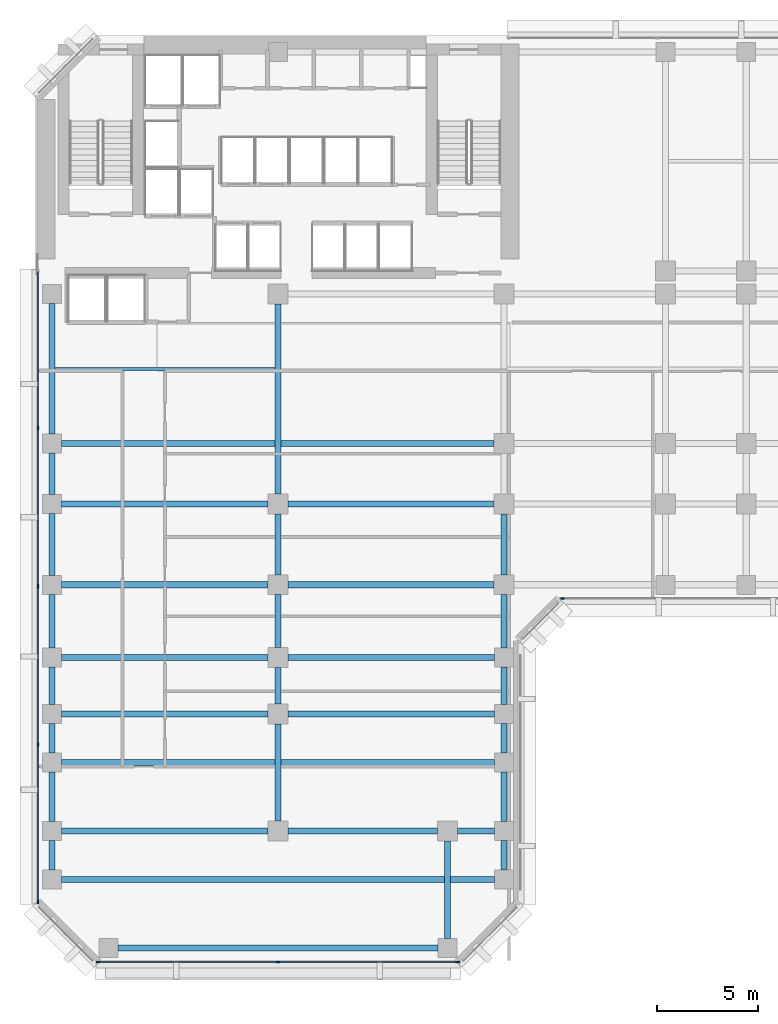
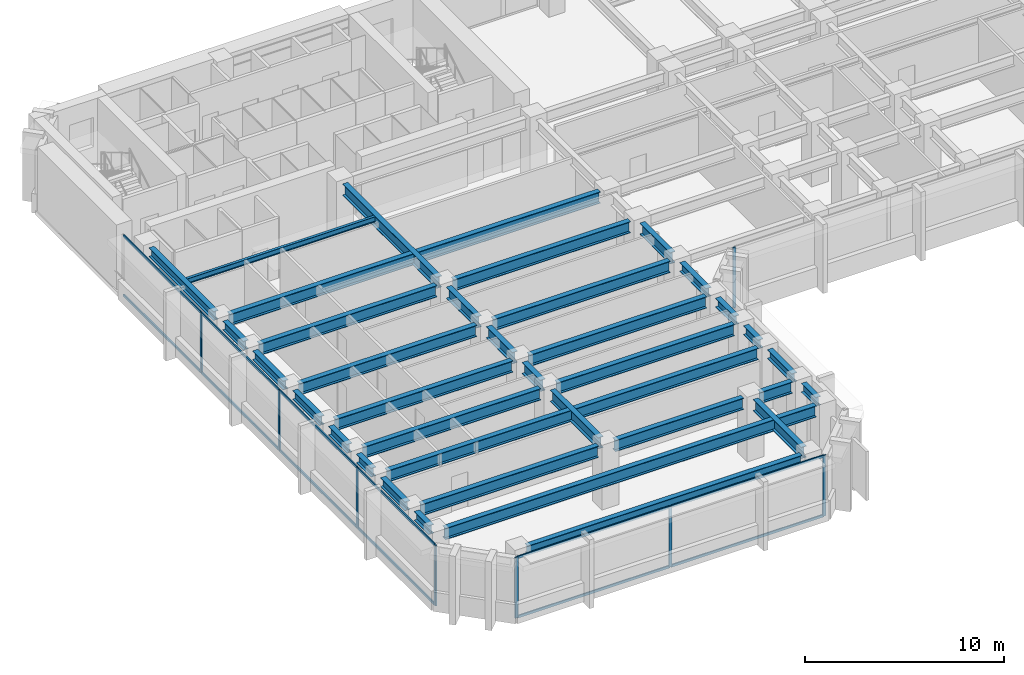
# One storey, part 2 of 13: 36 beams, 20 members, 3 elements without a shape of their own.
"""IFC4 building model written with IfcOpenShell, lengths in metres."""

from ifc_helpers import new_model, si_unit, direction, frame, origin, origin_2d, place, context, subcontext, project, spatial, rectangle, i_section, extrude, material, layer, layer_set, material_profile, profile_set, type_object, element, aggregate, save


model = new_model("IFC4")

# Units and contexts
model_context = context("Model", 3, precision=1e-05, world=origin(), true_north=direction((0.0, 1.0)))
body_context = subcontext(model_context, "Body", "Model", "MODEL_VIEW")
ifc_project = project(units=[si_unit("LENGTHUNIT", "METRE"), si_unit("AREAUNIT", "SQUARE_METRE"), si_unit("VOLUMEUNIT", "CUBIC_METRE"), si_unit("PLANEANGLEUNIT", "RADIAN"), si_unit("MASSUNIT", "GRAM", prefix="KILO")], contexts=[model_context])

# Site, building, storey
site_placement = place(None, origin())
site = spatial("IfcSite", under=ifc_project, at=site_placement, CompositionType="ELEMENT")
building_placement = place(site_placement, origin())
building = spatial("IfcBuilding", under=site, at=building_placement, Name="Kefirva Bronze Tower", CompositionType="ELEMENT")
storey_placement = place(building_placement, frame((0.0, 0.0, 81.840087890625)))
storey = spatial("IfcBuildingStorey", under=building, at=storey_placement, Name="L19", CompositionType="ELEMENT", Elevation=81.840087890625)

# Curtain wall, members
ifc_material_1 = material(Name="Bronze anodised aluminium", Category="aluminium")
ifc_layer = layer(ifc_material_1, 0.199951171875, Name="Bronze anodised aluminium")
ifc_layer_set = layer_set([ifc_layer], Name="Bronze anodised aluminium")
curtain_wall_type = type_object("IfcCurtainWallType", Name="Unitised Bronze Ribbon Curtain Wall Zone 1", PredefinedType="USERDEFINED", material=ifc_layer_set)
curtain_wall_1_placement = place(storey_placement, origin())
curtain_wall_1 = element("IfcCurtainWall", 1, at=curtain_wall_1_placement, inside=storey, type_object=curtain_wall_type, Name="L19 Curtain Wall 1", ObjectType="UNITISED CURTAIN WALL", PredefinedType="USERDEFINED")
ifc_material_profile_1 = material_profile(ifc_material_1, rectangle(XDim=0.074951171875, YDim=0.179931640625, at=origin_2d()), Name="ALU 75x180")
ifc_profile_set_1 = profile_set([ifc_material_profile_1], Name="Bronze anodised aluminium")
member_type_1 = type_object("IfcMemberType", Name="Bronze Mullion 75x180", PredefinedType="MULLION", material=ifc_profile_set_1)
member_1_placement = place(storey_placement, frame((3.092529296875, 0.1201171875, 0.0), z_axis=(0.0, 0.0, 1.0), x_axis=(0.0, 1.0, 0.0)))
member_1 = element("IfcMember", 2, at=member_1_placement, type_object=member_type_1, Name="CW-01 mullion 1", PredefinedType="MULLION", context=body_context, shape_type="SweptSolid", body=[
    extrude(rectangle(XDim=0.074951171875, YDim=0.179931640625, at=origin_2d()), origin(), (0.0, 0.0, 1.0), 3.7099609375),
])
member_2_placement = place(storey_placement, frame((12.0, 0.1201171875, 0.0), z_axis=(0.0, 0.0, 1.0), x_axis=(0.0, 1.0, 0.0)))
member_2 = element("IfcMember", 3, at=member_2_placement, type_object=member_type_1, Name="CW-01 mullion 2", PredefinedType="MULLION", context=body_context, shape_type="SweptSolid", body=[
    extrude(rectangle(XDim=0.074951171875, YDim=0.179931640625, at=origin_2d()), origin(), (0.0, 0.0, 1.0), 3.7099609375),
])
member_3_placement = place(storey_placement, frame((20.907470703125, 0.1201171875, 0.0), z_axis=(0.0, 0.0, 1.0), x_axis=(0.0, 1.0, 0.0)))
member_3 = element("IfcMember", 4, at=member_3_placement, type_object=member_type_1, Name="CW-01 mullion 3", PredefinedType="MULLION", context=body_context, shape_type="SweptSolid", body=[
    extrude(rectangle(XDim=0.074951171875, YDim=0.179931640625, at=origin_2d()), origin(), (0.0, 0.0, 1.0), 3.7099609375),
])

# Curtain wall, member
curtain_wall_2_placement = place(storey_placement, origin())
curtain_wall_2 = element("IfcCurtainWall", 5, at=curtain_wall_2_placement, inside=storey, type_object=curtain_wall_type, Name="L19 Curtain Wall 2", ObjectType="UNITISED CURTAIN WALL", PredefinedType="USERDEFINED")
member_4_placement = place(storey_placement, frame((26.092529296875, 18.1201171875, 0.0), z_axis=(0.0, 0.0, 1.0), x_axis=(0.0, 1.0, 0.0)))
member_4 = element("IfcMember", 6, at=member_4_placement, type_object=member_type_1, Name="CW-01 mullion 1", PredefinedType="MULLION", context=body_context, shape_type="SweptSolid", body=[
    extrude(rectangle(XDim=0.074951171875, YDim=0.179931640625, at=origin_2d()), origin(), (0.0, 0.0, 1.0), 3.7099609375),
])
aggregate(curtain_wall_2, [member_4])

# Curtain wall, members
curtain_wall_3_placement = place(storey_placement, origin())
curtain_wall_3 = element("IfcCurtainWall", 7, at=curtain_wall_3_placement, inside=storey, type_object=curtain_wall_type, Name="L19 Curtain Wall 5", ObjectType="UNITISED CURTAIN WALL", PredefinedType="USERDEFINED")
member_5_placement = place(storey_placement, frame((0.1201171875, 26.56005859375, 0.0), z_axis=(0.0, 0.0, 1.0), x_axis=(1.0, 0.0, 0.0)))
member_5 = element("IfcMember", 8, at=member_5_placement, type_object=member_type_1, Name="CW-01 mullion 2", PredefinedType="MULLION", context=body_context, shape_type="SweptSolid", body=[
    extrude(rectangle(XDim=0.074951171875, YDim=0.179931640625, at=origin_2d()), origin(), (0.0, 0.0, 1.0), 3.7099609375),
])
member_6_placement = place(storey_placement, frame((0.1201171875, 18.72509765625, 0.0), z_axis=(0.0, 0.0, 1.0), x_axis=(1.0, 0.0, 0.0)))
member_6 = element("IfcMember", 9, at=member_6_placement, type_object=member_type_1, Name="CW-01 mullion 3", PredefinedType="MULLION", context=body_context, shape_type="SweptSolid", body=[
    extrude(rectangle(XDim=0.074951171875, YDim=0.179931640625, at=origin_2d()), origin(), (0.0, 0.0, 1.0), 3.7099609375),
])
member_7_placement = place(storey_placement, frame((0.1201171875, 10.889892578125, 0.0), z_axis=(0.0, 0.0, 1.0), x_axis=(1.0, 0.0, 0.0)))
member_7 = element("IfcMember", 10, at=member_7_placement, type_object=member_type_1, Name="CW-01 mullion 4", PredefinedType="MULLION", context=body_context, shape_type="SweptSolid", body=[
    extrude(rectangle(XDim=0.074951171875, YDim=0.179931640625, at=origin_2d()), origin(), (0.0, 0.0, 1.0), 3.7099609375),
])
member_8_placement = place(storey_placement, frame((0.1201171875, 3.092529296875, 0.0), z_axis=(0.0, 0.0, 1.0), x_axis=(1.0, 0.0, 0.0)))
member_8 = element("IfcMember", 11, at=member_8_placement, type_object=member_type_1, Name="CW-01 mullion 5", PredefinedType="MULLION", context=body_context, shape_type="SweptSolid", body=[
    extrude(rectangle(XDim=0.074951171875, YDim=0.179931640625, at=origin_2d()), origin(), (0.0, 0.0, 1.0), 3.7099609375),
])

# Member
ifc_material_profile_2 = material_profile(ifc_material_1, rectangle(XDim=0.074951171875, YDim=0.14990234375, at=origin_2d()), Name="ALU 75x150")
ifc_profile_set_2 = profile_set([ifc_material_profile_2], Name="Bronze anodised aluminium")
member_type_2 = type_object("IfcMemberType", Name="Bronze Transom 75x150", PredefinedType="USERDEFINED", material=ifc_profile_set_2)
member_9_placement = place(storey_placement, frame((3.1298828125, 0.1201171875, 0.037353515625), z_axis=(1.0, 0.0, 0.0), x_axis=(0.0, 1.0, 0.0)))
member_9 = element("IfcMember", 12, at=member_9_placement, type_object=member_type_2, Name="CW-01 transom 1.1", ObjectType="TRANSOM", PredefinedType="USERDEFINED", context=body_context, shape_type="SweptSolid", body=[
    extrude(rectangle(XDim=0.074951171875, YDim=0.14990234375, at=origin_2d()), origin(), (0.0, 0.0, 1.0), 8.83251953125),
])

member_10_placement = place(storey_placement, frame((3.1298828125, 0.1201171875, 3.67236328125), z_axis=(1.0, 0.0, 0.0), x_axis=(0.0, 1.0, 0.0)))
member_10 = element("IfcMember", 13, at=member_10_placement, type_object=member_type_2, Name="CW-01 transom 1.2", ObjectType="TRANSOM", PredefinedType="USERDEFINED", context=body_context, shape_type="SweptSolid", body=[
    extrude(rectangle(XDim=0.074951171875, YDim=0.14990234375, at=origin_2d()), origin(), (0.0, 0.0, 1.0), 8.83251953125),
])

member_11_placement = place(storey_placement, frame((12.03759765625, 0.1201171875, 0.037353515625), z_axis=(1.0, 0.0, 0.0), x_axis=(0.0, 1.0, 0.0)))
member_11 = element("IfcMember", 14, at=member_11_placement, type_object=member_type_2, Name="CW-01 transom 2.1", ObjectType="TRANSOM", PredefinedType="USERDEFINED", context=body_context, shape_type="SweptSolid", body=[
    extrude(rectangle(XDim=0.074951171875, YDim=0.14990234375, at=origin_2d()), origin(), (0.0, 0.0, 1.0), 8.83251953125),
])

member_12_placement = place(storey_placement, frame((12.03759765625, 0.1201171875, 3.67236328125), z_axis=(1.0, 0.0, 0.0), x_axis=(0.0, 1.0, 0.0)))
member_12 = element("IfcMember", 15, at=member_12_placement, type_object=member_type_2, Name="CW-01 transom 2.2", ObjectType="TRANSOM", PredefinedType="USERDEFINED", context=body_context, shape_type="SweptSolid", body=[
    extrude(rectangle(XDim=0.074951171875, YDim=0.14990234375, at=origin_2d()), origin(), (0.0, 0.0, 1.0), 8.83251953125),
])

aggregate(curtain_wall_1, [member_1, member_2, member_3, member_9, member_10, member_11, member_12])

member_13_placement = place(storey_placement, frame((0.1201171875, 34.320068359375, 0.037353515625), z_axis=(0.0, -1.0, 0.0), x_axis=(1.0, 0.0, 0.0)))
member_13 = element("IfcMember", 16, at=member_13_placement, type_object=member_type_2, Name="CW-01 transom 1.1", ObjectType="TRANSOM", PredefinedType="USERDEFINED", context=body_context, shape_type="SweptSolid", body=[
    extrude(rectangle(XDim=0.074951171875, YDim=0.14990234375, at=origin_2d()), origin(), (0.0, 0.0, 1.0), 7.72265625),
])

member_14_placement = place(storey_placement, frame((0.1201171875, 34.320068359375, 3.67236328125), z_axis=(0.0, -1.0, 0.0), x_axis=(1.0, 0.0, 0.0)))
member_14 = element("IfcMember", 17, at=member_14_placement, type_object=member_type_2, Name="CW-01 transom 1.2", ObjectType="TRANSOM", PredefinedType="USERDEFINED", context=body_context, shape_type="SweptSolid", body=[
    extrude(rectangle(XDim=0.074951171875, YDim=0.14990234375, at=origin_2d()), origin(), (0.0, 0.0, 1.0), 7.72265625),
])

member_15_placement = place(storey_placement, frame((0.1201171875, 26.5224609375, 0.037353515625), z_axis=(0.0, -1.0, 0.0), x_axis=(1.0, 0.0, 0.0)))
member_15 = element("IfcMember", 18, at=member_15_placement, type_object=member_type_2, Name="CW-01 transom 2.1", ObjectType="TRANSOM", PredefinedType="USERDEFINED", context=body_context, shape_type="SweptSolid", body=[
    extrude(rectangle(XDim=0.074951171875, YDim=0.14990234375, at=origin_2d()), origin(), (0.0, 0.0, 1.0), 7.760009765625),
])

member_16_placement = place(storey_placement, frame((0.1201171875, 26.5224609375, 3.67236328125), z_axis=(0.0, -1.0, 0.0), x_axis=(1.0, 0.0, 0.0)))
member_16 = element("IfcMember", 19, at=member_16_placement, type_object=member_type_2, Name="CW-01 transom 2.2", ObjectType="TRANSOM", PredefinedType="USERDEFINED", context=body_context, shape_type="SweptSolid", body=[
    extrude(rectangle(XDim=0.074951171875, YDim=0.14990234375, at=origin_2d()), origin(), (0.0, 0.0, 1.0), 7.760009765625),
])

member_17_placement = place(storey_placement, frame((0.1201171875, 18.6875, 0.037353515625), z_axis=(0.0, -1.0, 0.0), x_axis=(1.0, 0.0, 0.0)))
member_17 = element("IfcMember", 20, at=member_17_placement, type_object=member_type_2, Name="CW-01 transom 3.1", ObjectType="TRANSOM", PredefinedType="USERDEFINED", context=body_context, shape_type="SweptSolid", body=[
    extrude(rectangle(XDim=0.074951171875, YDim=0.14990234375, at=origin_2d()), origin(), (0.0, 0.0, 1.0), 7.760009765625),
])

member_18_placement = place(storey_placement, frame((0.1201171875, 18.6875, 3.67236328125), z_axis=(0.0, -1.0, 0.0), x_axis=(1.0, 0.0, 0.0)))
member_18 = element("IfcMember", 21, at=member_18_placement, type_object=member_type_2, Name="CW-01 transom 3.2", ObjectType="TRANSOM", PredefinedType="USERDEFINED", context=body_context, shape_type="SweptSolid", body=[
    extrude(rectangle(XDim=0.074951171875, YDim=0.14990234375, at=origin_2d()), origin(), (0.0, 0.0, 1.0), 7.760009765625),
])

member_19_placement = place(storey_placement, frame((0.1201171875, 10.8525390625, 0.037353515625), z_axis=(0.0, -1.0, 0.0), x_axis=(1.0, 0.0, 0.0)))
member_19 = element("IfcMember", 22, at=member_19_placement, type_object=member_type_2, Name="CW-01 transom 4.1", ObjectType="TRANSOM", PredefinedType="USERDEFINED", context=body_context, shape_type="SweptSolid", body=[
    extrude(rectangle(XDim=0.074951171875, YDim=0.14990234375, at=origin_2d()), origin(), (0.0, 0.0, 1.0), 7.72265625),
])

member_20_placement = place(storey_placement, frame((0.1201171875, 10.8525390625, 3.67236328125), z_axis=(0.0, -1.0, 0.0), x_axis=(1.0, 0.0, 0.0)))
member_20 = element("IfcMember", 23, at=member_20_placement, type_object=member_type_2, Name="CW-01 transom 4.2", ObjectType="TRANSOM", PredefinedType="USERDEFINED", context=body_context, shape_type="SweptSolid", body=[
    extrude(rectangle(XDim=0.074951171875, YDim=0.14990234375, at=origin_2d()), origin(), (0.0, 0.0, 1.0), 7.72265625),
])

aggregate(curtain_wall_3, [member_5, member_6, member_7, member_8, member_13, member_14, member_15, member_16, member_17, member_18, member_19, member_20])

# Beams
ifc_material_2 = material(Name="Steel S355", Category="steel")
ifc_material_profile_3 = material_profile(ifc_material_2, i_section(OverallWidth=0.159912109375, OverallDepth=0.330078125, WebThickness=0.007568359375, FlangeThickness=0.011474609375, at=origin_2d()), Name="IPE 330")
ifc_profile_set_3 = profile_set([ifc_material_profile_3], Name="Steel S355")
beam_type_1 = type_object("IfcBeamType", Name="Steel Floor Joist IPE 330", PredefinedType="JOIST", material=ifc_profile_set_3)
beam_1_placement = place(storey_placement, frame((0.949951171875, 29.489990234375, 3.544921875), z_axis=(1.0, 0.0, 0.0), x_axis=(0.0, 1.0, 0.0)))
element("IfcBeam", 24, at=beam_1_placement, inside=storey, type_object=beam_type_1, Name="L19 JST-L19-0-294", PredefinedType="JOIST", context=body_context, shape_type="SweptSolid", body=[
    extrude(i_section(OverallWidth=0.159912109375, OverallDepth=0.330078125, WebThickness=0.007568359375, FlangeThickness=0.011474609375, at=origin_2d()), origin(), (0.0, 0.0, 1.0), 10.900146484375),
])
ifc_material_profile_4 = material_profile(ifc_material_2, i_section(OverallWidth=0.300048828125, OverallDepth=0.699951171875, WebThickness=0.01708984375, FlangeThickness=0.031982421875, at=origin_2d()), Name="HEB 700")
ifc_profile_set_4 = profile_set([ifc_material_profile_4], Name="Steel S355")
beam_type_2 = type_object("IfcBeamType", Name="Steel Girder HEB 700", PredefinedType="USERDEFINED", material=ifc_profile_set_4)
beam_2_placement = place(storey_placement, frame((1.27001953125, 4.199951171875, 3.35986328125), z_axis=(1.0, 0.0, 0.0), x_axis=(0.0, 1.0, 0.0)))
element("IfcBeam", 25, at=beam_2_placement, inside=storey, type_object=beam_type_2, Name="L19 BM-L19-EW-0-42", ObjectType="GIRDER", PredefinedType="USERDEFINED", context=body_context, shape_type="SweptSolid", body=[
    extrude(i_section(OverallWidth=0.300048828125, OverallDepth=0.699951171875, WebThickness=0.01708984375, FlangeThickness=0.031982421875, at=origin_2d()), origin(), (0.0, 0.0, 1.0), 21.4599609375),
])
beam_3_placement = place(storey_placement, frame((1.27001953125, 6.60009765625, 3.35986328125), z_axis=(1.0, 0.0, 0.0), x_axis=(0.0, 1.0, 0.0)))
element("IfcBeam", 26, at=beam_3_placement, inside=storey, type_object=beam_type_2, Name="L19 BM-L19-EW-0-66", ObjectType="GIRDER", PredefinedType="USERDEFINED", context=body_context, shape_type="SweptSolid", body=[
    extrude(i_section(OverallWidth=0.300048828125, OverallDepth=0.699951171875, WebThickness=0.01708984375, FlangeThickness=0.031982421875, at=origin_2d()), origin(), (0.0, 0.0, 1.0), 10.239990234375),
])
beam_4_placement = place(storey_placement, frame((12.489990234375, 6.60009765625, 3.35986328125), z_axis=(1.0, 0.0, 0.0), x_axis=(0.0, 1.0, 0.0)))
element("IfcBeam", 27, at=beam_4_placement, inside=storey, type_object=beam_type_2, Name="L19 BM-L19-EW-12-66", ObjectType="GIRDER", PredefinedType="USERDEFINED", context=body_context, shape_type="SweptSolid", body=[
    extrude(i_section(OverallWidth=0.300048828125, OverallDepth=0.699951171875, WebThickness=0.01708984375, FlangeThickness=0.031982421875, at=origin_2d()), origin(), (0.0, 0.0, 1.0), 7.419921875),
])
beam_5_placement = place(storey_placement, frame((20.889892578125, 6.60009765625, 3.35986328125), z_axis=(1.0, 0.0, 0.0), x_axis=(0.0, 1.0, 0.0)))
element("IfcBeam", 28, at=beam_5_placement, inside=storey, type_object=beam_type_2, Name="L19 BM-L19-EW-20-66", ObjectType="GIRDER", PredefinedType="USERDEFINED", context=body_context, shape_type="SweptSolid", body=[
    extrude(i_section(OverallWidth=0.300048828125, OverallDepth=0.699951171875, WebThickness=0.01708984375, FlangeThickness=0.031982421875, at=origin_2d()), origin(), (0.0, 0.0, 1.0), 1.840087890625),
])
beam_6_placement = place(storey_placement, frame((1.27001953125, 10.0, 3.35986328125), z_axis=(1.0, 0.0, 0.0), x_axis=(0.0, 1.0, 0.0)))
element("IfcBeam", 29, at=beam_6_placement, inside=storey, type_object=beam_type_2, Name="L19 BM-L19-EW-0-100", ObjectType="GIRDER", PredefinedType="USERDEFINED", context=body_context, shape_type="SweptSolid", body=[
    extrude(i_section(OverallWidth=0.300048828125, OverallDepth=0.699951171875, WebThickness=0.01708984375, FlangeThickness=0.031982421875, at=origin_2d()), origin(), (0.0, 0.0, 1.0), 21.4599609375),
])
for number, where, z_axis, x_axis, name in (
    (30, (1.27001953125, 12.39990234375, 3.35986328125), (1.0, 0.0, 0.0), (0.0, 1.0, 0.0), "L19 BM-L19-EW-0-124"),
    (31, (12.489990234375, 12.39990234375, 3.35986328125), (1.0, 0.0, 0.0), (0.0, 1.0, 0.0), "L19 BM-L19-EW-12-124"),
    (32, (1.27001953125, 15.199951171875, 3.35986328125), (1.0, 0.0, 0.0), (0.0, 1.0, 0.0), "L19 BM-L19-EW-0-152"),
    (33, (12.489990234375, 15.199951171875, 3.35986328125), (1.0, 0.0, 0.0), (0.0, 1.0, 0.0), "L19 BM-L19-EW-12-152"),
    (34, (1.27001953125, 18.800048828125, 3.35986328125), (1.0, 0.0, 0.0), (0.0, 1.0, 0.0), "L19 BM-L19-EW-0-188"),
):
    element("IfcBeam", number, at=place(storey_placement, frame(where, z_axis=z_axis, x_axis=x_axis)), inside=storey, type_object=beam_type_2, Name=name, ObjectType="GIRDER", PredefinedType="USERDEFINED", context=body_context, shape_type="SweptSolid", body=[
        extrude(i_section(OverallWidth=0.300048828125, OverallDepth=0.699951171875, WebThickness=0.01708984375, FlangeThickness=0.031982421875, at=origin_2d()), origin(), (0.0, 0.0, 1.0), 10.239990234375),
    ])
beam_7_placement = place(storey_placement, frame((12.489990234375, 18.800048828125, 3.35986328125), z_axis=(1.0, 0.0, 0.0), x_axis=(0.0, 1.0, 0.0)))
element("IfcBeam", 35, at=beam_7_placement, inside=storey, type_object=beam_type_2, Name="L19 BM-L19-EW-12-188", ObjectType="GIRDER", PredefinedType="USERDEFINED", context=body_context, shape_type="SweptSolid", body=[
    extrude(i_section(OverallWidth=0.300048828125, OverallDepth=0.699951171875, WebThickness=0.01708984375, FlangeThickness=0.031982421875, at=origin_2d()), origin(), (0.0, 0.0, 1.0), 10.219970703125),
])
beam_8_placement = place(storey_placement, frame((1.27001953125, 22.800048828125, 3.35986328125), z_axis=(1.0, 0.0, 0.0), x_axis=(0.0, 1.0, 0.0)))
element("IfcBeam", 36, at=beam_8_placement, inside=storey, type_object=beam_type_2, Name="L19 BM-L19-EW-0-228", ObjectType="GIRDER", PredefinedType="USERDEFINED", context=body_context, shape_type="SweptSolid", body=[
    extrude(i_section(OverallWidth=0.300048828125, OverallDepth=0.699951171875, WebThickness=0.01708984375, FlangeThickness=0.031982421875, at=origin_2d()), origin(), (0.0, 0.0, 1.0), 10.239990234375),
])
beam_9_placement = place(storey_placement, frame((12.489990234375, 22.800048828125, 3.35986328125), z_axis=(1.0, 0.0, 0.0), x_axis=(0.0, 1.0, 0.0)))
element("IfcBeam", 37, at=beam_9_placement, inside=storey, type_object=beam_type_2, Name="L19 BM-L19-EW-12-228", ObjectType="GIRDER", PredefinedType="USERDEFINED", context=body_context, shape_type="SweptSolid", body=[
    extrude(i_section(OverallWidth=0.300048828125, OverallDepth=0.699951171875, WebThickness=0.01708984375, FlangeThickness=0.031982421875, at=origin_2d()), origin(), (0.0, 0.0, 1.0), 10.219970703125),
])
beam_10_placement = place(storey_placement, frame((1.27001953125, 25.800048828125, 3.35986328125), z_axis=(1.0, 0.0, 0.0), x_axis=(0.0, 1.0, 0.0)))
element("IfcBeam", 38, at=beam_10_placement, inside=storey, type_object=beam_type_2, Name="L19 BM-L19-EW-0-258", ObjectType="GIRDER", PredefinedType="USERDEFINED", context=body_context, shape_type="SweptSolid", body=[
    extrude(i_section(OverallWidth=0.300048828125, OverallDepth=0.699951171875, WebThickness=0.01708984375, FlangeThickness=0.031982421875, at=origin_2d()), origin(), (0.0, 0.0, 1.0), 21.43994140625),
])
beam_11_placement = place(storey_placement, frame((12.0, 7.090087890625, 3.35986328125), z_axis=(0.0, 1.0, 0.0), x_axis=(-1.0, 0.0, 0.0)))
element("IfcBeam", 39, at=beam_11_placement, inside=storey, type_object=beam_type_2, Name="L19 BM-L19-NS-120-6", ObjectType="GIRDER", PredefinedType="USERDEFINED", context=body_context, shape_type="SweptSolid", body=[
    extrude(i_section(OverallWidth=0.300048828125, OverallDepth=0.699951171875, WebThickness=0.01708984375, FlangeThickness=0.031982421875, at=origin_2d()), origin(), (0.0, 0.0, 1.0), 4.81982421875),
])
beam_12_placement = place(storey_placement, frame((12.0, 12.889892578125, 3.35986328125), z_axis=(0.0, 1.0, 0.0), x_axis=(-1.0, 0.0, 0.0)))
element("IfcBeam", 40, at=beam_12_placement, inside=storey, type_object=beam_type_2, Name="L19 BM-L19-NS-120-12", ObjectType="GIRDER", PredefinedType="USERDEFINED", context=body_context, shape_type="SweptSolid", body=[
    extrude(i_section(OverallWidth=0.300048828125, OverallDepth=0.699951171875, WebThickness=0.01708984375, FlangeThickness=0.031982421875, at=origin_2d()), origin(), (0.0, 0.0, 1.0), 1.820068359375),
])
beam_13_placement = place(storey_placement, frame((12.0, 15.68994140625, 3.35986328125), z_axis=(0.0, 1.0, 0.0), x_axis=(-1.0, 0.0, 0.0)))
element("IfcBeam", 41, at=beam_13_placement, inside=storey, type_object=beam_type_2, Name="L19 BM-L19-NS-120-15", ObjectType="GIRDER", PredefinedType="USERDEFINED", context=body_context, shape_type="SweptSolid", body=[
    extrude(i_section(OverallWidth=0.300048828125, OverallDepth=0.699951171875, WebThickness=0.01708984375, FlangeThickness=0.031982421875, at=origin_2d()), origin(), (0.0, 0.0, 1.0), 2.6201171875),
])
beam_14_placement = place(storey_placement, frame((12.0, 19.2900390625, 3.35986328125), z_axis=(0.0, 1.0, 0.0), x_axis=(-1.0, 0.0, 0.0)))
element("IfcBeam", 42, at=beam_14_placement, inside=storey, type_object=beam_type_2, Name="L19 BM-L19-NS-120-18", ObjectType="GIRDER", PredefinedType="USERDEFINED", context=body_context, shape_type="SweptSolid", body=[
    extrude(i_section(OverallWidth=0.300048828125, OverallDepth=0.699951171875, WebThickness=0.01708984375, FlangeThickness=0.031982421875, at=origin_2d()), origin(), (0.0, 0.0, 1.0), 3.02001953125),
])
beam_15_placement = place(storey_placement, frame((12.0, 23.2900390625, 3.35986328125), z_axis=(0.0, 1.0, 0.0), x_axis=(-1.0, 0.0, 0.0)))
element("IfcBeam", 43, at=beam_15_placement, inside=storey, type_object=beam_type_2, Name="L19 BM-L19-NS-120-22", ObjectType="GIRDER", PredefinedType="USERDEFINED", context=body_context, shape_type="SweptSolid", body=[
    extrude(i_section(OverallWidth=0.300048828125, OverallDepth=0.699951171875, WebThickness=0.01708984375, FlangeThickness=0.031982421875, at=origin_2d()), origin(), (0.0, 0.0, 1.0), 9.419921875),
])
beam_16_placement = place(storey_placement, frame((20.39990234375, 1.27001953125, 3.35986328125), z_axis=(0.0, 1.0, 0.0), x_axis=(-1.0, 0.0, 0.0)))
element("IfcBeam", 44, at=beam_16_placement, inside=storey, type_object=beam_type_2, Name="L19 BM-L19-NS-204-0", ObjectType="GIRDER", PredefinedType="USERDEFINED", context=body_context, shape_type="SweptSolid", body=[
    extrude(i_section(OverallWidth=0.300048828125, OverallDepth=0.699951171875, WebThickness=0.01708984375, FlangeThickness=0.031982421875, at=origin_2d()), origin(), (0.0, 0.0, 1.0), 4.840087890625),
])
beam_17_placement = place(storey_placement, frame((23.199951171875, 19.2900390625, 3.35986328125), z_axis=(0.0, 1.0, 0.0), x_axis=(-1.0, 0.0, 0.0)))
element("IfcBeam", 45, at=beam_17_placement, inside=storey, type_object=beam_type_2, Name="L19 BM-L19-NS-232-18", ObjectType="GIRDER", PredefinedType="USERDEFINED", context=body_context, shape_type="SweptSolid", body=[
    extrude(i_section(OverallWidth=0.300048828125, OverallDepth=0.699951171875, WebThickness=0.01708984375, FlangeThickness=0.031982421875, at=origin_2d()), origin(), (0.0, 0.0, 1.0), 3.02001953125),
])
ifc_material_profile_5 = material_profile(ifc_material_2, i_section(OverallWidth=0.300048828125, OverallDepth=0.550048828125, WebThickness=0.014892578125, FlangeThickness=0.029052734375, at=origin_2d()), Name="HEB 550")
ifc_profile_set_5 = profile_set([ifc_material_profile_5], Name="Steel S355")
beam_type_3 = type_object("IfcBeamType", Name="Steel Spandrel HEB 550 Ext", PredefinedType="SPANDREL", material=ifc_profile_set_5)
beam_18_placement = place(storey_placement, frame((4.070068359375, 0.800048828125, 3.434814453125), z_axis=(1.0, 0.0, 0.0), x_axis=(0.0, 1.0, 0.0)))
element("IfcBeam", 46, at=beam_18_placement, inside=storey, type_object=beam_type_3, Name="L19 BM-L19-EW-3-8", PredefinedType="SPANDREL", context=body_context, shape_type="SweptSolid", body=[
    extrude(i_section(OverallWidth=0.300048828125, OverallDepth=0.550048828125, WebThickness=0.014892578125, FlangeThickness=0.029052734375, at=origin_2d()), origin(), (0.0, 0.0, 1.0), 15.85986328125),
])
beam_19_placement = place(storey_placement, frame((0.800048828125, 4.669921875, 3.434814453125), z_axis=(0.0, 1.0, 0.0), x_axis=(-1.0, 0.0, 0.0)))
element("IfcBeam", 47, at=beam_19_placement, inside=storey, type_object=beam_type_3, Name="L19 BM-L19-NS-8-4", PredefinedType="SPANDREL", context=body_context, shape_type="SweptSolid", body=[
    extrude(i_section(OverallWidth=0.300048828125, OverallDepth=0.550048828125, WebThickness=0.014892578125, FlangeThickness=0.029052734375, at=origin_2d()), origin(), (0.0, 0.0, 1.0), 1.4599609375),
])
beam_20_placement = place(storey_placement, frame((0.800048828125, 7.070068359375, 3.434814453125), z_axis=(0.0, 1.0, 0.0), x_axis=(-1.0, 0.0, 0.0)))
element("IfcBeam", 48, at=beam_20_placement, inside=storey, type_object=beam_type_3, Name="L19 BM-L19-NS-8-6", PredefinedType="SPANDREL", context=body_context, shape_type="SweptSolid", body=[
    extrude(i_section(OverallWidth=0.300048828125, OverallDepth=0.550048828125, WebThickness=0.014892578125, FlangeThickness=0.029052734375, at=origin_2d()), origin(), (0.0, 0.0, 1.0), 2.4599609375),
])
beam_21_placement = place(storey_placement, frame((0.800048828125, 10.469970703125, 3.434814453125), z_axis=(0.0, 1.0, 0.0), x_axis=(-1.0, 0.0, 0.0)))
element("IfcBeam", 49, at=beam_21_placement, inside=storey, type_object=beam_type_3, Name="L19 BM-L19-NS-8-10", PredefinedType="SPANDREL", context=body_context, shape_type="SweptSolid", body=[
    extrude(i_section(OverallWidth=0.300048828125, OverallDepth=0.550048828125, WebThickness=0.014892578125, FlangeThickness=0.029052734375, at=origin_2d()), origin(), (0.0, 0.0, 1.0), 1.4599609375),
])
beam_22_placement = place(storey_placement, frame((0.800048828125, 12.8701171875, 3.434814453125), z_axis=(0.0, 1.0, 0.0), x_axis=(-1.0, 0.0, 0.0)))
element("IfcBeam", 50, at=beam_22_placement, inside=storey, type_object=beam_type_3, Name="L19 BM-L19-NS-8-12", PredefinedType="SPANDREL", context=body_context, shape_type="SweptSolid", body=[
    extrude(i_section(OverallWidth=0.300048828125, OverallDepth=0.550048828125, WebThickness=0.014892578125, FlangeThickness=0.029052734375, at=origin_2d()), origin(), (0.0, 0.0, 1.0), 1.85986328125),
])
beam_23_placement = place(storey_placement, frame((0.800048828125, 15.669921875, 3.434814453125), z_axis=(0.0, 1.0, 0.0), x_axis=(-1.0, 0.0, 0.0)))
element("IfcBeam", 51, at=beam_23_placement, inside=storey, type_object=beam_type_3, Name="L19 BM-L19-NS-8-15", PredefinedType="SPANDREL", context=body_context, shape_type="SweptSolid", body=[
    extrude(i_section(OverallWidth=0.300048828125, OverallDepth=0.550048828125, WebThickness=0.014892578125, FlangeThickness=0.029052734375, at=origin_2d()), origin(), (0.0, 0.0, 1.0), 2.66015625),
])
beam_24_placement = place(storey_placement, frame((0.800048828125, 19.27001953125, 3.434814453125), z_axis=(0.0, 1.0, 0.0), x_axis=(-1.0, 0.0, 0.0)))
element("IfcBeam", 52, at=beam_24_placement, inside=storey, type_object=beam_type_3, Name="L19 BM-L19-NS-8-18", PredefinedType="SPANDREL", context=body_context, shape_type="SweptSolid", body=[
    extrude(i_section(OverallWidth=0.300048828125, OverallDepth=0.550048828125, WebThickness=0.014892578125, FlangeThickness=0.029052734375, at=origin_2d()), origin(), (0.0, 0.0, 1.0), 3.06005859375),
])
beam_25_placement = place(storey_placement, frame((0.800048828125, 23.27001953125, 3.434814453125), z_axis=(0.0, 1.0, 0.0), x_axis=(-1.0, 0.0, 0.0)))
element("IfcBeam", 53, at=beam_25_placement, inside=storey, type_object=beam_type_3, Name="L19 BM-L19-NS-8-22", PredefinedType="SPANDREL", context=body_context, shape_type="SweptSolid", body=[
    extrude(i_section(OverallWidth=0.300048828125, OverallDepth=0.550048828125, WebThickness=0.014892578125, FlangeThickness=0.029052734375, at=origin_2d()), origin(), (0.0, 0.0, 1.0), 2.06005859375),
])
beam_26_placement = place(storey_placement, frame((0.800048828125, 26.27001953125, 3.434814453125), z_axis=(0.0, 1.0, 0.0), x_axis=(-1.0, 0.0, 0.0)))
element("IfcBeam", 54, at=beam_26_placement, inside=storey, type_object=beam_type_3, Name="L19 BM-L19-NS-8-25", PredefinedType="SPANDREL", context=body_context, shape_type="SweptSolid", body=[
    extrude(i_section(OverallWidth=0.300048828125, OverallDepth=0.550048828125, WebThickness=0.014892578125, FlangeThickness=0.029052734375, at=origin_2d()), origin(), (0.0, 0.0, 1.0), 6.4599609375),
])
beam_27_placement = place(storey_placement, frame((23.199951171875, 4.669921875, 3.434814453125), z_axis=(0.0, 1.0, 0.0), x_axis=(-1.0, 0.0, 0.0)))
element("IfcBeam", 55, at=beam_27_placement, inside=storey, type_object=beam_type_3, Name="L19 BM-L19-NS-232-4", PredefinedType="SPANDREL", context=body_context, shape_type="SweptSolid", body=[
    extrude(i_section(OverallWidth=0.300048828125, OverallDepth=0.550048828125, WebThickness=0.014892578125, FlangeThickness=0.029052734375, at=origin_2d()), origin(), (0.0, 0.0, 1.0), 1.4599609375),
])
beam_28_placement = place(storey_placement, frame((23.199951171875, 7.070068359375, 3.434814453125), z_axis=(0.0, 1.0, 0.0), x_axis=(-1.0, 0.0, 0.0)))
element("IfcBeam", 56, at=beam_28_placement, inside=storey, type_object=beam_type_3, Name="L19 BM-L19-NS-232-6", PredefinedType="SPANDREL", context=body_context, shape_type="SweptSolid", body=[
    extrude(i_section(OverallWidth=0.300048828125, OverallDepth=0.550048828125, WebThickness=0.014892578125, FlangeThickness=0.029052734375, at=origin_2d()), origin(), (0.0, 0.0, 1.0), 2.4599609375),
])
beam_29_placement = place(storey_placement, frame((23.199951171875, 10.469970703125, 3.434814453125), z_axis=(0.0, 1.0, 0.0), x_axis=(-1.0, 0.0, 0.0)))
element("IfcBeam", 57, at=beam_29_placement, inside=storey, type_object=beam_type_3, Name="L19 BM-L19-NS-232-10", PredefinedType="SPANDREL", context=body_context, shape_type="SweptSolid", body=[
    extrude(i_section(OverallWidth=0.300048828125, OverallDepth=0.550048828125, WebThickness=0.014892578125, FlangeThickness=0.029052734375, at=origin_2d()), origin(), (0.0, 0.0, 1.0), 1.4599609375),
])
beam_30_placement = place(storey_placement, frame((23.199951171875, 12.8701171875, 3.434814453125), z_axis=(0.0, 1.0, 0.0), x_axis=(-1.0, 0.0, 0.0)))
element("IfcBeam", 58, at=beam_30_placement, inside=storey, type_object=beam_type_3, Name="L19 BM-L19-NS-232-12", PredefinedType="SPANDREL", context=body_context, shape_type="SweptSolid", body=[
    extrude(i_section(OverallWidth=0.300048828125, OverallDepth=0.550048828125, WebThickness=0.014892578125, FlangeThickness=0.029052734375, at=origin_2d()), origin(), (0.0, 0.0, 1.0), 1.85986328125),
])
beam_31_placement = place(storey_placement, frame((23.199951171875, 15.669921875, 3.434814453125), z_axis=(0.0, 1.0, 0.0), x_axis=(-1.0, 0.0, 0.0)))
element("IfcBeam", 59, at=beam_31_placement, inside=storey, type_object=beam_type_3, Name="L19 BM-L19-NS-232-15", PredefinedType="SPANDREL", context=body_context, shape_type="SweptSolid", body=[
    extrude(i_section(OverallWidth=0.300048828125, OverallDepth=0.550048828125, WebThickness=0.014892578125, FlangeThickness=0.029052734375, at=origin_2d()), origin(), (0.0, 0.0, 1.0), 2.64013671875),
])

save(model, "model.ifc")
